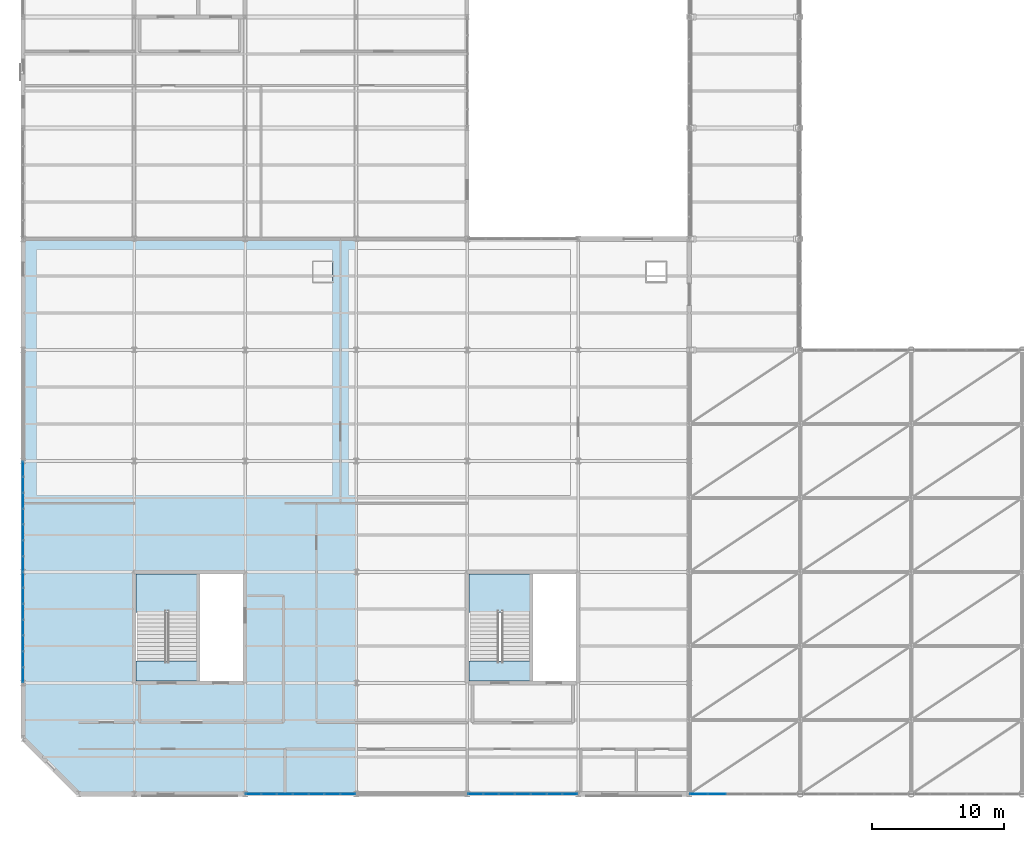
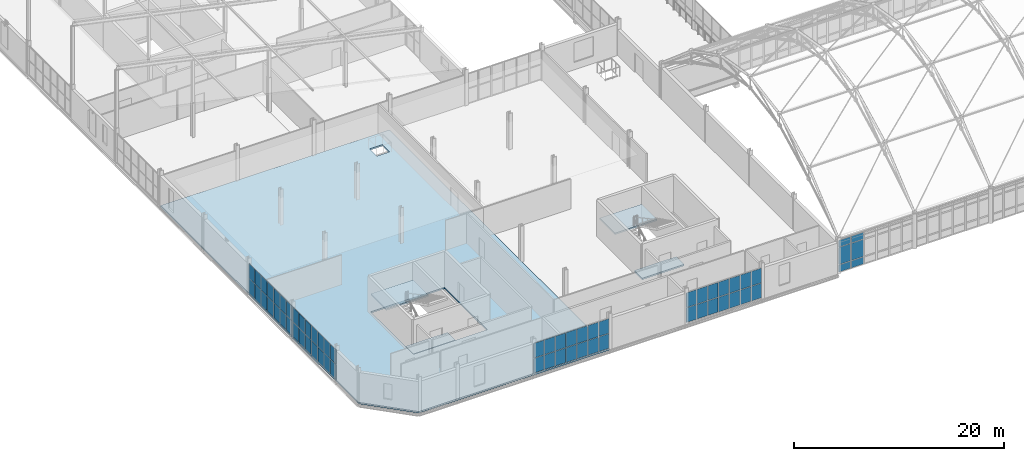
# One storey, part 134 of 184: 62 plates, 5 slabs, 7 elements without a shape of their own.
"""IFC4 building model written with IfcOpenShell, lengths in metres."""

import ifcopenshell
import ifcopenshell.guid

model = None  # the IFC model being written
_history = None  # IfcOwnerHistory: only IFC2X3 demands one
_inside = {}  # id of a spatial element -> (the spatial element, [elements in it])
_under = {}  # id of a project, library or spatial element -> (it, [spatial elements below it])
_declared = {}  # id of a project -> (the project, [libraries it declares])
_typed = {}  # id of a type object -> (the type object, [elements of that type])
_made_of = {}  # id of a material, layer set ... -> (it, [elements and type objects made of it])


def new_model(schema):
    """Start an empty IFC model of exactly this schema.

    Asked for "IFC4X3", IfcOpenShell would pick the latest addendum, in which some entities
    have other attributes; the version numbers below select the first issue.
    IFC2X3 requires an IfcOwnerHistory on every rooted entity: one is made here for all.
    """
    global model, _history
    if schema == "IFC4X3":
        model = ifcopenshell.file(schema_version=(4, 3, 0, 0))
    else:
        model = ifcopenshell.file(schema=schema)
    _inside.clear()
    _under.clear()
    _declared.clear()
    _typed.clear()
    _made_of.clear()
    _history = None
    if model.schema == "IFC2X3":
        org = make("IfcOrganization", Name="unknown")
        user = make(
            "IfcPersonAndOrganization",
            ThePerson=make("IfcPerson", FamilyName="unknown"),
            TheOrganization=org,
        )
        app = make(
            "IfcApplication",
            ApplicationDeveloper=org,
            Version="unknown",
            ApplicationFullName="unknown",
            ApplicationIdentifier="unknown",
        )
        _history = make(
            "IfcOwnerHistory",
            OwningUser=user,
            OwningApplication=app,
            ChangeAction="ADDED",
            CreationDate=0,
        )
    return model


def make(cls, **values):
    """One entity of the class cls with the attributes given. An attribute that is None is left unset."""
    return model.create_entity(
        cls, **{name: value for name, value in values.items() if value is not None}
    )


def rooted(cls, **values):
    """An entity with a GlobalId (a new one), such as an element, a storey or a relation."""
    return make(cls, GlobalId=ifcopenshell.guid.new(), OwnerHistory=_history, **values)


def si_unit(unit_type, name, prefix=None):
    """IfcSIUnit, for example si_unit("LENGTHUNIT", "METRE", prefix="MILLI")."""
    return make("IfcSIUnit", UnitType=unit_type, Prefix=prefix, Name=name)


def assignment(units):
    """IfcUnitAssignment: the units of a project."""
    return None if units is None else make("IfcUnitAssignment", Units=units)


def point(xyz):
    """IfcCartesianPoint."""
    return None if xyz is None else make("IfcCartesianPoint", Coordinates=xyz)


def direction(xyz):
    """IfcDirection."""
    return None if xyz is None else make("IfcDirection", DirectionRatios=xyz)


def frame(location, z_axis=None, x_axis=None):
    """IfcAxis2Placement3D, a coordinate frame: its origin and axes. An axis left out is left unset."""
    return make(
        "IfcAxis2Placement3D",
        Location=point(location),
        Axis=direction(z_axis),
        RefDirection=direction(x_axis),
    )


def frame_2d(location, x_axis=None):
    """IfcAxis2Placement2D, a coordinate frame in the plane: its origin and x axis."""
    return make(
        "IfcAxis2Placement2D", Location=point(location), RefDirection=direction(x_axis)
    )


def origin():
    """The frame at (0, 0, 0) with its axes left unset."""
    return frame((0.0, 0.0, 0.0))


def origin_2d():
    """The frame at (0, 0) in the plane with its x axis left unset."""
    return frame_2d((0.0, 0.0))


def place(relative_to, where):
    """IfcLocalPlacement: puts the frame where relative to a parent placement (None: the world)."""
    return make(
        "IfcLocalPlacement", PlacementRelTo=relative_to, RelativePlacement=where
    )


def context(
    kind, dimensions, precision=None, world=None, true_north=None, identifier=None
):
    """IfcGeometricRepresentationContext, for example the 3D "Model" context."""
    return make(
        "IfcGeometricRepresentationContext",
        ContextIdentifier=identifier,
        ContextType=kind,
        CoordinateSpaceDimension=dimensions,
        Precision=precision,
        WorldCoordinateSystem=world,
        TrueNorth=true_north,
    )


def subcontext(parent, identifier, kind, view, scale=None):
    """IfcGeometricRepresentationSubContext, for example "Body" below "Model"."""
    return make(
        "IfcGeometricRepresentationSubContext",
        ContextIdentifier=identifier,
        ContextType=kind,
        ParentContext=parent,
        TargetScale=scale,
        TargetView=view,
    )


def project(units=None, contexts=None):
    """IfcProject with its units and contexts."""
    return rooted(
        "IfcProject",
        Name="project",
        RepresentationContexts=contexts,
        UnitsInContext=assignment(units),
    )


def spatial(cls, under=None, at=None, **own):
    """A site, building, storey or space (cls), placed at a placement, below another one or the project."""
    s = rooted(cls, ObjectPlacement=at, **own)
    if under is not None:
        _under.setdefault(under.id(), (under, []))[1].append(s)
    return s


def polyline(points):
    """IfcPolyline through the points."""
    return make("IfcPolyline", Points=[point(p) for p in points])


def profile(cls, at=None, kind="AREA", **sizes):
    """A parametric profile (cls). Its sizes go by their IFC names, for example OverallWidth=200.0."""
    return make(cls, ProfileType=kind, Position=at, **sizes)


def rectangle(**sizes):
    """IfcRectangleProfileDef."""
    return profile("IfcRectangleProfileDef", **sizes)


def outline(outer, holes=None, kind="AREA"):
    """IfcArbitraryClosedProfileDef: a profile drawn as a closed curve; with holes, ...WithVoids."""
    if holes is None:
        return make("IfcArbitraryClosedProfileDef", ProfileType=kind, OuterCurve=outer)
    return make(
        "IfcArbitraryProfileDefWithVoids",
        ProfileType=kind,
        OuterCurve=outer,
        InnerCurves=holes,
    )


def extrude(swept, where, along, depth):
    """IfcExtrudedAreaSolid: the profile swept, set in the frame where, extruded along a direction by depth."""
    return make(
        "IfcExtrudedAreaSolid",
        SweptArea=swept,
        Position=where,
        ExtrudedDirection=direction(along),
        Depth=depth,
    )


def shape(context_of_items, identifier, shape_type, items):
    """IfcShapeRepresentation: the items that make up one representation, for example the "Body"."""
    return make(
        "IfcShapeRepresentation",
        ContextOfItems=context_of_items,
        RepresentationIdentifier=identifier,
        RepresentationType=shape_type,
        Items=items,
    )


def material(Name=None, Category=None):
    """IfcMaterial."""
    return make("IfcMaterial", Name=Name, Category=Category)


def layer(
    of_material, thickness, ventilated=None, Name=None, Category=None, Priority=None
):
    """IfcMaterialLayer: one layer of a wall or slab, of a material (None: an air gap)."""
    return make(
        "IfcMaterialLayer",
        Material=of_material,
        LayerThickness=thickness,
        IsVentilated=ventilated,
        Name=Name,
        Category=Category,
        Priority=Priority,
    )


def layer_set(layers, Name=None):
    """IfcMaterialLayerSet."""
    return make("IfcMaterialLayerSet", MaterialLayers=layers, LayerSetName=Name)


def made_of(thing, what):
    """Note that an element or type object is made of a material, layer set ...; save() writes the relation."""
    if what is not None:
        _made_of.setdefault(what.id(), (what, []))[1].append(thing)
    return thing


def type_object(cls, material=None, **own):
    """A type object (cls), such as IfcWallType, which elements share."""
    return made_of(rooted(cls, **own), material)


def element(
    cls,
    number,
    at=None,
    inside=None,
    cuts=None,
    type_object=None,
    material=None,
    context=None,
    identifier="Body",
    shape_type=None,
    held_by="IfcProductDefinitionShape",
    body=None,
    shapes=None,
    **own,
):
    """One element of the class cls, such as IfcWall. Its Tag is "e" and its number.

    at: its placement. inside: the storey or other place that contains it. cuts: it is an
    opening in that element (IfcRelVoidsElement). A single representation is given by context,
    identifier, shape_type and body (its items); several are given by shapes. held_by: the class
    of the entity that holds the representations. save() writes the other relations.
    """
    e = rooted(cls, Tag="e%d" % number, ObjectPlacement=at, **own)
    if body is not None:
        shapes = [shape(context, identifier, shape_type, body)]
    if shapes is not None:
        e.Representation = make(held_by, Representations=shapes)
    if inside is not None:
        _inside.setdefault(inside.id(), (inside, []))[1].append(e)
    if cuts is not None:
        rooted(
            "IfcRelVoidsElement", RelatingBuildingElement=cuts, RelatedOpeningElement=e
        )
    if type_object is not None:
        _typed.setdefault(type_object.id(), (type_object, []))[1].append(e)
    return made_of(e, material)


def aggregate(whole, parts):
    """IfcRelAggregates: a whole, such as a stair, and the parts it consists of."""
    return rooted("IfcRelAggregates", RelatingObject=whole, RelatedObjects=parts)


def save(model, path):
    """Write the relations noted so far, then the file.

    IfcRelAggregates (storeys below a building ...), IfcRelContainedInSpatialStructure (elements
    in a storey), IfcRelDefinesByType, IfcRelAssociatesMaterial and IfcRelDeclares: one each for
    every whole, place, type object, material and project.
    """
    for whole, parts in _under.values():
        aggregate(whole, parts)
    for where, things in _inside.values():
        rooted(
            "IfcRelContainedInSpatialStructure",
            RelatedElements=things,
            RelatingStructure=where,
        )
    for kind, things in _typed.values():
        rooted("IfcRelDefinesByType", RelatedObjects=things, RelatingType=kind)
    for what, things in _made_of.values():
        rooted("IfcRelAssociatesMaterial", RelatedObjects=things, RelatingMaterial=what)
    for by, libraries in _declared.values():
        rooted("IfcRelDeclares", RelatingContext=by, RelatedDefinitions=libraries)
    model.write(path)


model = new_model("IFC4")

# Units and contexts
model_context = context("Model", 3, precision=1e-05, world=origin(), true_north=direction((0.0, 1.0)))
body_context = subcontext(model_context, "Body", "Model", "MODEL_VIEW")
ifc_project = project(units=[si_unit("LENGTHUNIT", "METRE"), si_unit("AREAUNIT", "SQUARE_METRE"), si_unit("VOLUMEUNIT", "CUBIC_METRE"), si_unit("PLANEANGLEUNIT", "RADIAN"), si_unit("MASSUNIT", "GRAM", prefix="KILO")], contexts=[model_context])

# Site, building, storey
site_placement = place(None, origin())
site = spatial("IfcSite", under=ifc_project, at=site_placement, CompositionType="ELEMENT")
building_placement = place(site_placement, origin())
building = spatial("IfcBuilding", under=site, at=building_placement, Name="Qalvenar Corner Mobility Hub", CompositionType="ELEMENT")
storey_placement = place(building_placement, frame((0.0, 0.0, 9.0)))
storey = spatial("IfcBuildingStorey", under=building, at=storey_placement, Name="L02", CompositionType="ELEMENT", Elevation=9.0)

# Curtain wall, plates
ifc_material_1 = material(Name="Anodised Aluminium and Low-E Glazing", Category="aluminium")
ifc_layer_1 = layer(ifc_material_1, 0.14990234375)
ifc_layer_set_1 = layer_set([ifc_layer_1], Name="Anodised Aluminium and Low-E Glazing")
curtain_wall_type_1 = type_object("IfcCurtainWallType", Name="CW-CIV-84X40", PredefinedType="NOTDEFINED", material=ifc_layer_set_1)
curtain_wall_1_placement = place(storey_placement, origin())
curtain_wall_1 = element("IfcCurtainWall", 1, at=curtain_wall_1_placement, inside=storey, type_object=curtain_wall_type_1, Name="Glazed Curtain Wall CW-V3-L02-S2", PredefinedType="NOTDEFINED")
ifc_material_2 = material(Name="Solar-Control Low-E Double Glazing", Category="glass")
ifc_layer_2 = layer(ifc_material_2, 0.028076171875)
ifc_layer_set_2 = layer_set([ifc_layer_2], Name="Solar-Control Low-E Double Glazing")
plate_type = type_object("IfcPlateType", Name="PLT-CWP-GLZ1", PredefinedType="CURTAIN_PANEL", material=ifc_layer_set_2)
plate_1_placement = place(storey_placement, frame((17.4150390625, 0.0, 0.05517578125), z_axis=(0.0, 0.0, 1.0), x_axis=(1.0, 0.0, 0.0)))
plate_1 = element("IfcPlate", 2, at=plate_1_placement, type_object=plate_type, Name="CW-05 panel 1.1", PredefinedType="CURTAIN_PANEL", context=body_context, shape_type="SweptSolid", body=[
    extrude(rectangle(XDim=1.110107421875, YDim=0.028076171875, at=origin_2d()), origin(), (0.0, 0.0, 1.0), 1.702392578125),
])
plate_2_placement = place(storey_placement, frame((17.4150390625, 0.0, 1.8125), z_axis=(0.0, 0.0, 1.0), x_axis=(1.0, 0.0, 0.0)))
plate_2 = element("IfcPlate", 3, at=plate_2_placement, type_object=plate_type, Name="CW-05 panel 1.2", PredefinedType="CURTAIN_PANEL", context=body_context, shape_type="SweptSolid", body=[
    extrude(rectangle(XDim=1.110107421875, YDim=0.028076171875, at=origin_2d()), origin(), (0.0, 0.0, 1.0), 1.702392578125),
])
plate_3_placement = place(storey_placement, frame((18.60009765625, 0.0, 0.05517578125), z_axis=(0.0, 0.0, 1.0), x_axis=(1.0, 0.0, 0.0)))
plate_3 = element("IfcPlate", 4, at=plate_3_placement, type_object=plate_type, Name="CW-05 panel 2.1", PredefinedType="CURTAIN_PANEL", context=body_context, shape_type="SweptSolid", body=[
    extrude(rectangle(XDim=1.139892578125, YDim=0.028076171875, at=origin_2d()), origin(), (0.0, 0.0, 1.0), 1.702392578125),
])
plate_4_placement = place(storey_placement, frame((18.60009765625, 0.0, 1.8125), z_axis=(0.0, 0.0, 1.0), x_axis=(1.0, 0.0, 0.0)))
plate_4 = element("IfcPlate", 5, at=plate_4_placement, type_object=plate_type, Name="CW-05 panel 2.2", PredefinedType="CURTAIN_PANEL", context=body_context, shape_type="SweptSolid", body=[
    extrude(rectangle(XDim=1.139892578125, YDim=0.028076171875, at=origin_2d()), origin(), (0.0, 0.0, 1.0), 1.702392578125),
])
plate_5_placement = place(storey_placement, frame((19.800048828125, 0.0, 0.05517578125), z_axis=(0.0, 0.0, 1.0), x_axis=(1.0, 0.0, 0.0)))
plate_5 = element("IfcPlate", 6, at=plate_5_placement, type_object=plate_type, Name="CW-05 panel 3.1", PredefinedType="CURTAIN_PANEL", context=body_context, shape_type="SweptSolid", body=[
    extrude(rectangle(XDim=1.139892578125, YDim=0.028076171875, at=origin_2d()), origin(), (0.0, 0.0, 1.0), 1.702392578125),
])
plate_6_placement = place(storey_placement, frame((19.800048828125, 0.0, 1.8125), z_axis=(0.0, 0.0, 1.0), x_axis=(1.0, 0.0, 0.0)))
plate_6 = element("IfcPlate", 7, at=plate_6_placement, type_object=plate_type, Name="CW-05 panel 3.2", PredefinedType="CURTAIN_PANEL", context=body_context, shape_type="SweptSolid", body=[
    extrude(rectangle(XDim=1.139892578125, YDim=0.028076171875, at=origin_2d()), origin(), (0.0, 0.0, 1.0), 1.702392578125),
])
plate_7_placement = place(storey_placement, frame((21.0, 0.0, 0.05517578125), z_axis=(0.0, 0.0, 1.0), x_axis=(1.0, 0.0, 0.0)))
plate_7 = element("IfcPlate", 8, at=plate_7_placement, type_object=plate_type, Name="CW-05 panel 4.1", PredefinedType="CURTAIN_PANEL", context=body_context, shape_type="SweptSolid", body=[
    extrude(rectangle(XDim=1.139892578125, YDim=0.028076171875, at=origin_2d()), origin(), (0.0, 0.0, 1.0), 1.702392578125),
])
plate_8_placement = place(storey_placement, frame((21.0, 0.0, 1.8125), z_axis=(0.0, 0.0, 1.0), x_axis=(1.0, 0.0, 0.0)))
plate_8 = element("IfcPlate", 9, at=plate_8_placement, type_object=plate_type, Name="CW-05 panel 4.2", PredefinedType="CURTAIN_PANEL", context=body_context, shape_type="SweptSolid", body=[
    extrude(rectangle(XDim=1.139892578125, YDim=0.028076171875, at=origin_2d()), origin(), (0.0, 0.0, 1.0), 1.702392578125),
])
plate_9_placement = place(storey_placement, frame((22.199951171875, 0.0, 0.05517578125), z_axis=(0.0, 0.0, 1.0), x_axis=(1.0, 0.0, 0.0)))
plate_9 = element("IfcPlate", 10, at=plate_9_placement, type_object=plate_type, Name="CW-05 panel 5.1", PredefinedType="CURTAIN_PANEL", context=body_context, shape_type="SweptSolid", body=[
    extrude(rectangle(XDim=1.139892578125, YDim=0.028076171875, at=origin_2d()), origin(), (0.0, 0.0, 1.0), 1.702392578125),
])
plate_10_placement = place(storey_placement, frame((22.199951171875, 0.0, 1.8125), z_axis=(0.0, 0.0, 1.0), x_axis=(1.0, 0.0, 0.0)))
plate_10 = element("IfcPlate", 11, at=plate_10_placement, type_object=plate_type, Name="CW-05 panel 5.2", PredefinedType="CURTAIN_PANEL", context=body_context, shape_type="SweptSolid", body=[
    extrude(rectangle(XDim=1.139892578125, YDim=0.028076171875, at=origin_2d()), origin(), (0.0, 0.0, 1.0), 1.702392578125),
])
plate_11_placement = place(storey_placement, frame((23.39990234375, 0.0, 0.05517578125), z_axis=(0.0, 0.0, 1.0), x_axis=(1.0, 0.0, 0.0)))
plate_11 = element("IfcPlate", 12, at=plate_11_placement, type_object=plate_type, Name="CW-05 panel 6.1", PredefinedType="CURTAIN_PANEL", context=body_context, shape_type="SweptSolid", body=[
    extrude(rectangle(XDim=1.139892578125, YDim=0.028076171875, at=origin_2d()), origin(), (0.0, 0.0, 1.0), 1.702392578125),
])
plate_12_placement = place(storey_placement, frame((23.39990234375, 0.0, 1.8125), z_axis=(0.0, 0.0, 1.0), x_axis=(1.0, 0.0, 0.0)))
plate_12 = element("IfcPlate", 13, at=plate_12_placement, type_object=plate_type, Name="CW-05 panel 6.2", PredefinedType="CURTAIN_PANEL", context=body_context, shape_type="SweptSolid", body=[
    extrude(rectangle(XDim=1.139892578125, YDim=0.028076171875, at=origin_2d()), origin(), (0.0, 0.0, 1.0), 1.702392578125),
])
plate_13_placement = place(storey_placement, frame((24.5849609375, 0.0, 0.05517578125), z_axis=(0.0, 0.0, 1.0), x_axis=(1.0, 0.0, 0.0)))
plate_13 = element("IfcPlate", 14, at=plate_13_placement, type_object=plate_type, Name="CW-05 panel 7.1", PredefinedType="CURTAIN_PANEL", context=body_context, shape_type="SweptSolid", body=[
    extrude(rectangle(XDim=1.110107421875, YDim=0.028076171875, at=origin_2d()), origin(), (0.0, 0.0, 1.0), 1.702392578125),
])
plate_14_placement = place(storey_placement, frame((24.5849609375, 0.0, 1.8125), z_axis=(0.0, 0.0, 1.0), x_axis=(1.0, 0.0, 0.0)))
plate_14 = element("IfcPlate", 15, at=plate_14_placement, type_object=plate_type, Name="CW-05 panel 7.2", PredefinedType="CURTAIN_PANEL", context=body_context, shape_type="SweptSolid", body=[
    extrude(rectangle(XDim=1.110107421875, YDim=0.028076171875, at=origin_2d()), origin(), (0.0, 0.0, 1.0), 1.702392578125),
])
aggregate(curtain_wall_1, [plate_1, plate_2, plate_3, plate_4, plate_5, plate_6, plate_7, plate_8, plate_9, plate_10, plate_11, plate_12, plate_13, plate_14])

curtain_wall_2_placement = place(storey_placement, origin())
curtain_wall_2 = element("IfcCurtainWall", 16, at=curtain_wall_2_placement, inside=storey, type_object=curtain_wall_type_1, Name="Glazed Curtain Wall CW-V3-L02-S4", PredefinedType="NOTDEFINED")
plate_15_placement = place(storey_placement, frame((34.215087890625, 0.0, 0.05517578125), z_axis=(0.0, 0.0, 1.0), x_axis=(1.0, 0.0, 0.0)))
plate_15 = element("IfcPlate", 17, at=plate_15_placement, type_object=plate_type, Name="CW-05 panel 1.1", PredefinedType="CURTAIN_PANEL", context=body_context, shape_type="SweptSolid", body=[
    extrude(rectangle(XDim=1.110107421875, YDim=0.028076171875, at=origin_2d()), origin(), (0.0, 0.0, 1.0), 1.702392578125),
])
plate_16_placement = place(storey_placement, frame((34.215087890625, 0.0, 1.8125), z_axis=(0.0, 0.0, 1.0), x_axis=(1.0, 0.0, 0.0)))
plate_16 = element("IfcPlate", 18, at=plate_16_placement, type_object=plate_type, Name="CW-05 panel 1.2", PredefinedType="CURTAIN_PANEL", context=body_context, shape_type="SweptSolid", body=[
    extrude(rectangle(XDim=1.110107421875, YDim=0.028076171875, at=origin_2d()), origin(), (0.0, 0.0, 1.0), 1.702392578125),
])
plate_17_placement = place(storey_placement, frame((35.39990234375, 0.0, 0.05517578125), z_axis=(0.0, 0.0, 1.0), x_axis=(1.0, 0.0, 0.0)))
plate_17 = element("IfcPlate", 19, at=plate_17_placement, type_object=plate_type, Name="CW-05 panel 2.1", PredefinedType="CURTAIN_PANEL", context=body_context, shape_type="SweptSolid", body=[
    extrude(rectangle(XDim=1.139892578125, YDim=0.028076171875, at=origin_2d()), origin(), (0.0, 0.0, 1.0), 1.702392578125),
])
plate_18_placement = place(storey_placement, frame((35.39990234375, 0.0, 1.8125), z_axis=(0.0, 0.0, 1.0), x_axis=(1.0, 0.0, 0.0)))
plate_18 = element("IfcPlate", 20, at=plate_18_placement, type_object=plate_type, Name="CW-05 panel 2.2", PredefinedType="CURTAIN_PANEL", context=body_context, shape_type="SweptSolid", body=[
    extrude(rectangle(XDim=1.139892578125, YDim=0.028076171875, at=origin_2d()), origin(), (0.0, 0.0, 1.0), 1.702392578125),
])
plate_19_placement = place(storey_placement, frame((36.60009765625, 0.0, 0.05517578125), z_axis=(0.0, 0.0, 1.0), x_axis=(1.0, 0.0, 0.0)))
plate_19 = element("IfcPlate", 21, at=plate_19_placement, type_object=plate_type, Name="CW-05 panel 3.1", PredefinedType="CURTAIN_PANEL", context=body_context, shape_type="SweptSolid", body=[
    extrude(rectangle(XDim=1.139892578125, YDim=0.028076171875, at=origin_2d()), origin(), (0.0, 0.0, 1.0), 1.702392578125),
])
plate_20_placement = place(storey_placement, frame((36.60009765625, 0.0, 1.8125), z_axis=(0.0, 0.0, 1.0), x_axis=(1.0, 0.0, 0.0)))
plate_20 = element("IfcPlate", 22, at=plate_20_placement, type_object=plate_type, Name="CW-05 panel 3.2", PredefinedType="CURTAIN_PANEL", context=body_context, shape_type="SweptSolid", body=[
    extrude(rectangle(XDim=1.139892578125, YDim=0.028076171875, at=origin_2d()), origin(), (0.0, 0.0, 1.0), 1.702392578125),
])
plate_21_placement = place(storey_placement, frame((37.800048828125, 0.0, 0.05517578125), z_axis=(0.0, 0.0, 1.0), x_axis=(1.0, 0.0, 0.0)))
plate_21 = element("IfcPlate", 23, at=plate_21_placement, type_object=plate_type, Name="CW-05 panel 4.1", PredefinedType="CURTAIN_PANEL", context=body_context, shape_type="SweptSolid", body=[
    extrude(rectangle(XDim=1.139892578125, YDim=0.028076171875, at=origin_2d()), origin(), (0.0, 0.0, 1.0), 1.702392578125),
])
plate_22_placement = place(storey_placement, frame((37.800048828125, 0.0, 1.8125), z_axis=(0.0, 0.0, 1.0), x_axis=(1.0, 0.0, 0.0)))
plate_22 = element("IfcPlate", 24, at=plate_22_placement, type_object=plate_type, Name="CW-05 panel 4.2", PredefinedType="CURTAIN_PANEL", context=body_context, shape_type="SweptSolid", body=[
    extrude(rectangle(XDim=1.139892578125, YDim=0.028076171875, at=origin_2d()), origin(), (0.0, 0.0, 1.0), 1.702392578125),
])
plate_23_placement = place(storey_placement, frame((39.0, 0.0, 0.05517578125), z_axis=(0.0, 0.0, 1.0), x_axis=(1.0, 0.0, 0.0)))
plate_23 = element("IfcPlate", 25, at=plate_23_placement, type_object=plate_type, Name="CW-05 panel 5.1", PredefinedType="CURTAIN_PANEL", context=body_context, shape_type="SweptSolid", body=[
    extrude(rectangle(XDim=1.139892578125, YDim=0.028076171875, at=origin_2d()), origin(), (0.0, 0.0, 1.0), 1.702392578125),
])
plate_24_placement = place(storey_placement, frame((39.0, 0.0, 1.8125), z_axis=(0.0, 0.0, 1.0), x_axis=(1.0, 0.0, 0.0)))
plate_24 = element("IfcPlate", 26, at=plate_24_placement, type_object=plate_type, Name="CW-05 panel 5.2", PredefinedType="CURTAIN_PANEL", context=body_context, shape_type="SweptSolid", body=[
    extrude(rectangle(XDim=1.139892578125, YDim=0.028076171875, at=origin_2d()), origin(), (0.0, 0.0, 1.0), 1.702392578125),
])
plate_25_placement = place(storey_placement, frame((40.199951171875, 0.0, 0.05517578125), z_axis=(0.0, 0.0, 1.0), x_axis=(1.0, 0.0, 0.0)))
plate_25 = element("IfcPlate", 27, at=plate_25_placement, type_object=plate_type, Name="CW-05 panel 6.1", PredefinedType="CURTAIN_PANEL", context=body_context, shape_type="SweptSolid", body=[
    extrude(rectangle(XDim=1.139892578125, YDim=0.028076171875, at=origin_2d()), origin(), (0.0, 0.0, 1.0), 1.702392578125),
])
plate_26_placement = place(storey_placement, frame((40.199951171875, 0.0, 1.8125), z_axis=(0.0, 0.0, 1.0), x_axis=(1.0, 0.0, 0.0)))
plate_26 = element("IfcPlate", 28, at=plate_26_placement, type_object=plate_type, Name="CW-05 panel 6.2", PredefinedType="CURTAIN_PANEL", context=body_context, shape_type="SweptSolid", body=[
    extrude(rectangle(XDim=1.139892578125, YDim=0.028076171875, at=origin_2d()), origin(), (0.0, 0.0, 1.0), 1.702392578125),
])
plate_27_placement = place(storey_placement, frame((41.385009765625, 0.0, 0.05517578125), z_axis=(0.0, 0.0, 1.0), x_axis=(1.0, 0.0, 0.0)))
plate_27 = element("IfcPlate", 29, at=plate_27_placement, type_object=plate_type, Name="CW-05 panel 7.1", PredefinedType="CURTAIN_PANEL", context=body_context, shape_type="SweptSolid", body=[
    extrude(rectangle(XDim=1.110107421875, YDim=0.028076171875, at=origin_2d()), origin(), (0.0, 0.0, 1.0), 1.702392578125),
])
plate_28_placement = place(storey_placement, frame((41.385009765625, 0.0, 1.8125), z_axis=(0.0, 0.0, 1.0), x_axis=(1.0, 0.0, 0.0)))
plate_28 = element("IfcPlate", 30, at=plate_28_placement, type_object=plate_type, Name="CW-05 panel 7.2", PredefinedType="CURTAIN_PANEL", context=body_context, shape_type="SweptSolid", body=[
    extrude(rectangle(XDim=1.110107421875, YDim=0.028076171875, at=origin_2d()), origin(), (0.0, 0.0, 1.0), 1.702392578125),
])
aggregate(curtain_wall_2, [plate_15, plate_16, plate_17, plate_18, plate_19, plate_20, plate_21, plate_22, plate_23, plate_24, plate_25, plate_26, plate_27, plate_28])

curtain_wall_3_placement = place(storey_placement, origin())
curtain_wall_3 = element("IfcCurtainWall", 31, at=curtain_wall_3_placement, inside=storey, type_object=curtain_wall_type_1, Name="Glazed Curtain Wall CW-V3-L02-W1", PredefinedType="NOTDEFINED")
plate_29_placement = place(storey_placement, frame((0.0, 16.18505859375, 0.05517578125), z_axis=(0.0, 0.0, 1.0), x_axis=(0.0, -1.0, 0.0)))
plate_29 = element("IfcPlate", 32, at=plate_29_placement, type_object=plate_type, Name="CW-05 panel 1.1", PredefinedType="CURTAIN_PANEL", context=body_context, shape_type="SweptSolid", body=[
    extrude(rectangle(XDim=1.110107421875, YDim=0.028076171875, at=origin_2d()), origin(), (0.0, 0.0, 1.0), 1.702392578125),
])
plate_30_placement = place(storey_placement, frame((0.0, 16.18505859375, 1.8125), z_axis=(0.0, 0.0, 1.0), x_axis=(0.0, -1.0, 0.0)))
plate_30 = element("IfcPlate", 33, at=plate_30_placement, type_object=plate_type, Name="CW-05 panel 1.2", PredefinedType="CURTAIN_PANEL", context=body_context, shape_type="SweptSolid", body=[
    extrude(rectangle(XDim=1.110107421875, YDim=0.028076171875, at=origin_2d()), origin(), (0.0, 0.0, 1.0), 1.702392578125),
])
plate_31_placement = place(storey_placement, frame((0.0, 15.0, 0.05517578125), z_axis=(0.0, 0.0, 1.0), x_axis=(0.0, -1.0, 0.0)))
plate_31 = element("IfcPlate", 34, at=plate_31_placement, type_object=plate_type, Name="CW-05 panel 2.1", PredefinedType="CURTAIN_PANEL", context=body_context, shape_type="SweptSolid", body=[
    extrude(rectangle(XDim=1.139892578125, YDim=0.028076171875, at=origin_2d()), origin(), (0.0, 0.0, 1.0), 1.702392578125),
])
plate_32_placement = place(storey_placement, frame((0.0, 15.0, 1.8125), z_axis=(0.0, 0.0, 1.0), x_axis=(0.0, -1.0, 0.0)))
plate_32 = element("IfcPlate", 35, at=plate_32_placement, type_object=plate_type, Name="CW-05 panel 2.2", PredefinedType="CURTAIN_PANEL", context=body_context, shape_type="SweptSolid", body=[
    extrude(rectangle(XDim=1.139892578125, YDim=0.028076171875, at=origin_2d()), origin(), (0.0, 0.0, 1.0), 1.702392578125),
])
plate_33_placement = place(storey_placement, frame((0.0, 13.800048828125, 0.05517578125), z_axis=(0.0, 0.0, 1.0), x_axis=(0.0, -1.0, 0.0)))
plate_33 = element("IfcPlate", 36, at=plate_33_placement, type_object=plate_type, Name="CW-05 panel 3.1", PredefinedType="CURTAIN_PANEL", context=body_context, shape_type="SweptSolid", body=[
    extrude(rectangle(XDim=1.139892578125, YDim=0.028076171875, at=origin_2d()), origin(), (0.0, 0.0, 1.0), 1.702392578125),
])
plate_34_placement = place(storey_placement, frame((0.0, 13.800048828125, 1.8125), z_axis=(0.0, 0.0, 1.0), x_axis=(0.0, -1.0, 0.0)))
plate_34 = element("IfcPlate", 37, at=plate_34_placement, type_object=plate_type, Name="CW-05 panel 3.2", PredefinedType="CURTAIN_PANEL", context=body_context, shape_type="SweptSolid", body=[
    extrude(rectangle(XDim=1.139892578125, YDim=0.028076171875, at=origin_2d()), origin(), (0.0, 0.0, 1.0), 1.702392578125),
])
plate_35_placement = place(storey_placement, frame((0.0, 12.60009765625, 0.05517578125), z_axis=(0.0, 0.0, 1.0), x_axis=(0.0, -1.0, 0.0)))
plate_35 = element("IfcPlate", 38, at=plate_35_placement, type_object=plate_type, Name="CW-05 panel 4.1", PredefinedType="CURTAIN_PANEL", context=body_context, shape_type="SweptSolid", body=[
    extrude(rectangle(XDim=1.139892578125, YDim=0.028076171875, at=origin_2d()), origin(), (0.0, 0.0, 1.0), 1.702392578125),
])
plate_36_placement = place(storey_placement, frame((0.0, 12.60009765625, 1.8125), z_axis=(0.0, 0.0, 1.0), x_axis=(0.0, -1.0, 0.0)))
plate_36 = element("IfcPlate", 39, at=plate_36_placement, type_object=plate_type, Name="CW-05 panel 4.2", PredefinedType="CURTAIN_PANEL", context=body_context, shape_type="SweptSolid", body=[
    extrude(rectangle(XDim=1.139892578125, YDim=0.028076171875, at=origin_2d()), origin(), (0.0, 0.0, 1.0), 1.702392578125),
])
plate_37_placement = place(storey_placement, frame((0.0, 11.39990234375, 0.05517578125), z_axis=(0.0, 0.0, 1.0), x_axis=(0.0, -1.0, 0.0)))
plate_37 = element("IfcPlate", 40, at=plate_37_placement, type_object=plate_type, Name="CW-05 panel 5.1", PredefinedType="CURTAIN_PANEL", context=body_context, shape_type="SweptSolid", body=[
    extrude(rectangle(XDim=1.139892578125, YDim=0.028076171875, at=origin_2d()), origin(), (0.0, 0.0, 1.0), 1.702392578125),
])
plate_38_placement = place(storey_placement, frame((0.0, 11.39990234375, 1.8125), z_axis=(0.0, 0.0, 1.0), x_axis=(0.0, -1.0, 0.0)))
plate_38 = element("IfcPlate", 41, at=plate_38_placement, type_object=plate_type, Name="CW-05 panel 5.2", PredefinedType="CURTAIN_PANEL", context=body_context, shape_type="SweptSolid", body=[
    extrude(rectangle(XDim=1.139892578125, YDim=0.028076171875, at=origin_2d()), origin(), (0.0, 0.0, 1.0), 1.702392578125),
])
plate_39_placement = place(storey_placement, frame((0.0, 10.199951171875, 0.05517578125), z_axis=(0.0, 0.0, 1.0), x_axis=(0.0, -1.0, 0.0)))
plate_39 = element("IfcPlate", 42, at=plate_39_placement, type_object=plate_type, Name="CW-05 panel 6.1", PredefinedType="CURTAIN_PANEL", context=body_context, shape_type="SweptSolid", body=[
    extrude(rectangle(XDim=1.139892578125, YDim=0.028076171875, at=origin_2d()), origin(), (0.0, 0.0, 1.0), 1.702392578125),
])
plate_40_placement = place(storey_placement, frame((0.0, 10.199951171875, 1.8125), z_axis=(0.0, 0.0, 1.0), x_axis=(0.0, -1.0, 0.0)))
plate_40 = element("IfcPlate", 43, at=plate_40_placement, type_object=plate_type, Name="CW-05 panel 6.2", PredefinedType="CURTAIN_PANEL", context=body_context, shape_type="SweptSolid", body=[
    extrude(rectangle(XDim=1.139892578125, YDim=0.028076171875, at=origin_2d()), origin(), (0.0, 0.0, 1.0), 1.702392578125),
])
plate_41_placement = place(storey_placement, frame((0.0, 9.014892578125, 0.05517578125), z_axis=(0.0, 0.0, 1.0), x_axis=(0.0, -1.0, 0.0)))
plate_41 = element("IfcPlate", 44, at=plate_41_placement, type_object=plate_type, Name="CW-05 panel 7.1", PredefinedType="CURTAIN_PANEL", context=body_context, shape_type="SweptSolid", body=[
    extrude(rectangle(XDim=1.110107421875, YDim=0.028076171875, at=origin_2d()), origin(), (0.0, 0.0, 1.0), 1.702392578125),
])
plate_42_placement = place(storey_placement, frame((0.0, 9.014892578125, 1.8125), z_axis=(0.0, 0.0, 1.0), x_axis=(0.0, -1.0, 0.0)))
plate_42 = element("IfcPlate", 45, at=plate_42_placement, type_object=plate_type, Name="CW-05 panel 7.2", PredefinedType="CURTAIN_PANEL", context=body_context, shape_type="SweptSolid", body=[
    extrude(rectangle(XDim=1.110107421875, YDim=0.028076171875, at=origin_2d()), origin(), (0.0, 0.0, 1.0), 1.702392578125),
])
aggregate(curtain_wall_3, [plate_29, plate_30, plate_31, plate_32, plate_33, plate_34, plate_35, plate_36, plate_37, plate_38, plate_39, plate_40, plate_41, plate_42])

curtain_wall_4_placement = place(storey_placement, origin())
curtain_wall_4 = element("IfcCurtainWall", 46, at=curtain_wall_4_placement, inside=storey, type_object=curtain_wall_type_1, Name="Glazed Curtain Wall CW-V3-L02-W2", PredefinedType="NOTDEFINED")
plate_43_placement = place(storey_placement, frame((0.0, 24.5849609375, 0.05517578125), z_axis=(0.0, 0.0, 1.0), x_axis=(0.0, -1.0, 0.0)))
plate_43 = element("IfcPlate", 47, at=plate_43_placement, type_object=plate_type, Name="CW-05 panel 1.1", PredefinedType="CURTAIN_PANEL", context=body_context, shape_type="SweptSolid", body=[
    extrude(rectangle(XDim=1.110107421875, YDim=0.028076171875, at=origin_2d()), origin(), (0.0, 0.0, 1.0), 1.702392578125),
])
plate_44_placement = place(storey_placement, frame((0.0, 24.5849609375, 1.8125), z_axis=(0.0, 0.0, 1.0), x_axis=(0.0, -1.0, 0.0)))
plate_44 = element("IfcPlate", 48, at=plate_44_placement, type_object=plate_type, Name="CW-05 panel 1.2", PredefinedType="CURTAIN_PANEL", context=body_context, shape_type="SweptSolid", body=[
    extrude(rectangle(XDim=1.110107421875, YDim=0.028076171875, at=origin_2d()), origin(), (0.0, 0.0, 1.0), 1.702392578125),
])
plate_45_placement = place(storey_placement, frame((0.0, 23.39990234375, 0.05517578125), z_axis=(0.0, 0.0, 1.0), x_axis=(0.0, -1.0, 0.0)))
plate_45 = element("IfcPlate", 49, at=plate_45_placement, type_object=plate_type, Name="CW-05 panel 2.1", PredefinedType="CURTAIN_PANEL", context=body_context, shape_type="SweptSolid", body=[
    extrude(rectangle(XDim=1.139892578125, YDim=0.028076171875, at=origin_2d()), origin(), (0.0, 0.0, 1.0), 1.702392578125),
])
plate_46_placement = place(storey_placement, frame((0.0, 23.39990234375, 1.8125), z_axis=(0.0, 0.0, 1.0), x_axis=(0.0, -1.0, 0.0)))
plate_46 = element("IfcPlate", 50, at=plate_46_placement, type_object=plate_type, Name="CW-05 panel 2.2", PredefinedType="CURTAIN_PANEL", context=body_context, shape_type="SweptSolid", body=[
    extrude(rectangle(XDim=1.139892578125, YDim=0.028076171875, at=origin_2d()), origin(), (0.0, 0.0, 1.0), 1.702392578125),
])
plate_47_placement = place(storey_placement, frame((0.0, 22.199951171875, 0.05517578125), z_axis=(0.0, 0.0, 1.0), x_axis=(0.0, -1.0, 0.0)))
plate_47 = element("IfcPlate", 51, at=plate_47_placement, type_object=plate_type, Name="CW-05 panel 3.1", PredefinedType="CURTAIN_PANEL", context=body_context, shape_type="SweptSolid", body=[
    extrude(rectangle(XDim=1.139892578125, YDim=0.028076171875, at=origin_2d()), origin(), (0.0, 0.0, 1.0), 1.702392578125),
])
plate_48_placement = place(storey_placement, frame((0.0, 22.199951171875, 1.8125), z_axis=(0.0, 0.0, 1.0), x_axis=(0.0, -1.0, 0.0)))
plate_48 = element("IfcPlate", 52, at=plate_48_placement, type_object=plate_type, Name="CW-05 panel 3.2", PredefinedType="CURTAIN_PANEL", context=body_context, shape_type="SweptSolid", body=[
    extrude(rectangle(XDim=1.139892578125, YDim=0.028076171875, at=origin_2d()), origin(), (0.0, 0.0, 1.0), 1.702392578125),
])
plate_49_placement = place(storey_placement, frame((0.0, 21.0, 0.05517578125), z_axis=(0.0, 0.0, 1.0), x_axis=(0.0, -1.0, 0.0)))
plate_49 = element("IfcPlate", 53, at=plate_49_placement, type_object=plate_type, Name="CW-05 panel 4.1", PredefinedType="CURTAIN_PANEL", context=body_context, shape_type="SweptSolid", body=[
    extrude(rectangle(XDim=1.139892578125, YDim=0.028076171875, at=origin_2d()), origin(), (0.0, 0.0, 1.0), 1.702392578125),
])
plate_50_placement = place(storey_placement, frame((0.0, 21.0, 1.8125), z_axis=(0.0, 0.0, 1.0), x_axis=(0.0, -1.0, 0.0)))
plate_50 = element("IfcPlate", 54, at=plate_50_placement, type_object=plate_type, Name="CW-05 panel 4.2", PredefinedType="CURTAIN_PANEL", context=body_context, shape_type="SweptSolid", body=[
    extrude(rectangle(XDim=1.139892578125, YDim=0.028076171875, at=origin_2d()), origin(), (0.0, 0.0, 1.0), 1.702392578125),
])
plate_51_placement = place(storey_placement, frame((0.0, 19.800048828125, 0.05517578125), z_axis=(0.0, 0.0, 1.0), x_axis=(0.0, -1.0, 0.0)))
plate_51 = element("IfcPlate", 55, at=plate_51_placement, type_object=plate_type, Name="CW-05 panel 5.1", PredefinedType="CURTAIN_PANEL", context=body_context, shape_type="SweptSolid", body=[
    extrude(rectangle(XDim=1.139892578125, YDim=0.028076171875, at=origin_2d()), origin(), (0.0, 0.0, 1.0), 1.702392578125),
])
plate_52_placement = place(storey_placement, frame((0.0, 19.800048828125, 1.8125), z_axis=(0.0, 0.0, 1.0), x_axis=(0.0, -1.0, 0.0)))
plate_52 = element("IfcPlate", 56, at=plate_52_placement, type_object=plate_type, Name="CW-05 panel 5.2", PredefinedType="CURTAIN_PANEL", context=body_context, shape_type="SweptSolid", body=[
    extrude(rectangle(XDim=1.139892578125, YDim=0.028076171875, at=origin_2d()), origin(), (0.0, 0.0, 1.0), 1.702392578125),
])
plate_53_placement = place(storey_placement, frame((0.0, 18.60009765625, 0.05517578125), z_axis=(0.0, 0.0, 1.0), x_axis=(0.0, -1.0, 0.0)))
plate_53 = element("IfcPlate", 57, at=plate_53_placement, type_object=plate_type, Name="CW-05 panel 6.1", PredefinedType="CURTAIN_PANEL", context=body_context, shape_type="SweptSolid", body=[
    extrude(rectangle(XDim=1.139892578125, YDim=0.028076171875, at=origin_2d()), origin(), (0.0, 0.0, 1.0), 1.702392578125),
])
plate_54_placement = place(storey_placement, frame((0.0, 18.60009765625, 1.8125), z_axis=(0.0, 0.0, 1.0), x_axis=(0.0, -1.0, 0.0)))
plate_54 = element("IfcPlate", 58, at=plate_54_placement, type_object=plate_type, Name="CW-05 panel 6.2", PredefinedType="CURTAIN_PANEL", context=body_context, shape_type="SweptSolid", body=[
    extrude(rectangle(XDim=1.139892578125, YDim=0.028076171875, at=origin_2d()), origin(), (0.0, 0.0, 1.0), 1.702392578125),
])
plate_55_placement = place(storey_placement, frame((0.0, 17.4150390625, 0.05517578125), z_axis=(0.0, 0.0, 1.0), x_axis=(0.0, -1.0, 0.0)))
plate_55 = element("IfcPlate", 59, at=plate_55_placement, type_object=plate_type, Name="CW-05 panel 7.1", PredefinedType="CURTAIN_PANEL", context=body_context, shape_type="SweptSolid", body=[
    extrude(rectangle(XDim=1.110107421875, YDim=0.028076171875, at=origin_2d()), origin(), (0.0, 0.0, 1.0), 1.702392578125),
])
plate_56_placement = place(storey_placement, frame((0.0, 17.4150390625, 1.8125), z_axis=(0.0, 0.0, 1.0), x_axis=(0.0, -1.0, 0.0)))
plate_56 = element("IfcPlate", 60, at=plate_56_placement, type_object=plate_type, Name="CW-05 panel 7.2", PredefinedType="CURTAIN_PANEL", context=body_context, shape_type="SweptSolid", body=[
    extrude(rectangle(XDim=1.110107421875, YDim=0.028076171875, at=origin_2d()), origin(), (0.0, 0.0, 1.0), 1.702392578125),
])
aggregate(curtain_wall_4, [plate_43, plate_44, plate_45, plate_46, plate_47, plate_48, plate_49, plate_50, plate_51, plate_52, plate_53, plate_54, plate_55, plate_56])

ifc_layer_3 = layer(ifc_material_1, 0.179931640625)
ifc_layer_set_3 = layer_set([ifc_layer_3], Name="Anodised Aluminium and Low-E Glazing")
curtain_wall_type_2 = type_object("IfcCurtainWallType", Name="CW-CONC-84X42", PredefinedType="NOTDEFINED", material=ifc_layer_set_3)
curtain_wall_5_placement = place(storey_placement, origin())
curtain_wall_5 = element("IfcCurtainWall", 61, at=curtain_wall_5_placement, inside=storey, type_object=curtain_wall_type_2, Name="Glazed Curtain Wall CW-V1-L02-S0", PredefinedType="NOTDEFINED")
plate_57_placement = place(storey_placement, frame((51.114990234375, 0.0, 0.05517578125), z_axis=(0.0, 0.0, 1.0), x_axis=(1.0, 0.0, 0.0)))
plate_57 = element("IfcPlate", 62, at=plate_57_placement, type_object=plate_type, Name="CW-02 panel 1.1", PredefinedType="CURTAIN_PANEL", context=body_context, shape_type="SweptSolid", body=[
    extrude(rectangle(XDim=1.31005859375, YDim=0.028076171875, at=origin_2d()), origin(), (0.0, 0.0, 1.0), 0.8173828125),
])
plate_58_placement = place(storey_placement, frame((51.114990234375, 0.0, 0.927490234375), z_axis=(0.0, 0.0, 1.0), x_axis=(1.0, 0.0, 0.0)))
plate_58 = element("IfcPlate", 63, at=plate_58_placement, type_object=plate_type, Name="CW-02 panel 1.2", PredefinedType="CURTAIN_PANEL", context=body_context, shape_type="SweptSolid", body=[
    extrude(rectangle(XDim=1.31005859375, YDim=0.028076171875, at=origin_2d()), origin(), (0.0, 0.0, 1.0), 1.9951171875),
])
plate_59_placement = place(storey_placement, frame((51.114990234375, 0.0, 2.9775390625), z_axis=(0.0, 0.0, 1.0), x_axis=(1.0, 0.0, 0.0)))
plate_59 = element("IfcPlate", 64, at=plate_59_placement, type_object=plate_type, Name="CW-02 panel 1.3", PredefinedType="CURTAIN_PANEL", context=body_context, shape_type="SweptSolid", body=[
    extrude(rectangle(XDim=1.31005859375, YDim=0.028076171875, at=origin_2d()), origin(), (0.0, 0.0, 1.0), 0.767578125),
])
plate_60_placement = place(storey_placement, frame((52.5, 0.0, 0.05517578125), z_axis=(0.0, 0.0, 1.0), x_axis=(1.0, 0.0, 0.0)))
plate_60 = element("IfcPlate", 65, at=plate_60_placement, type_object=plate_type, Name="CW-02 panel 2.1", PredefinedType="CURTAIN_PANEL", context=body_context, shape_type="SweptSolid", body=[
    extrude(rectangle(XDim=1.340087890625, YDim=0.028076171875, at=origin_2d()), origin(), (0.0, 0.0, 1.0), 0.8173828125),
])
plate_61_placement = place(storey_placement, frame((52.5, 0.0, 0.927490234375), z_axis=(0.0, 0.0, 1.0), x_axis=(1.0, 0.0, 0.0)))
plate_61 = element("IfcPlate", 66, at=plate_61_placement, type_object=plate_type, Name="CW-02 panel 2.2", PredefinedType="CURTAIN_PANEL", context=body_context, shape_type="SweptSolid", body=[
    extrude(rectangle(XDim=1.340087890625, YDim=0.028076171875, at=origin_2d()), origin(), (0.0, 0.0, 1.0), 1.9951171875),
])
plate_62_placement = place(storey_placement, frame((52.5, 0.0, 2.9775390625), z_axis=(0.0, 0.0, 1.0), x_axis=(1.0, 0.0, 0.0)))
plate_62 = element("IfcPlate", 67, at=plate_62_placement, type_object=plate_type, Name="CW-02 panel 2.3", PredefinedType="CURTAIN_PANEL", context=body_context, shape_type="SweptSolid", body=[
    extrude(rectangle(XDim=1.340087890625, YDim=0.028076171875, at=origin_2d()), origin(), (0.0, 0.0, 1.0), 0.767578125),
])
aggregate(curtain_wall_5, [plate_57, plate_58, plate_59, plate_60, plate_61, plate_62])

# Slab
ifc_material_3 = material(Name="Concrete C35/45", Category="concrete")
ifc_layer_4 = layer(ifc_material_3, 0.179931640625)
ifc_layer_set_4 = layer_set([ifc_layer_4], Name="Concrete C35/45")
slab_type_1 = type_object("IfcSlabType", Name="SLB-COMP180", PredefinedType="FLOOR", material=ifc_layer_set_4)
slab_1_placement = place(storey_placement, frame((0.0, 0.0, -0.179931640625)))
element("IfcSlab", 68, at=slab_1_placement, inside=storey, type_object=slab_type_1, Name="Composite Slab V3-A-L02", PredefinedType="FLOOR", context=body_context, shape_type="SweptSolid", body=[
    extrude(outline(polyline([(4.199951171875, 0.0), (25.199951171875, 0.0), (25.199951171875, 42.0), (0.0, 42.0), (0.0, 4.199951171875), (4.199951171875, 0.0)]), holes=[polyline([(8.530029296875, 8.530029296875), (16.669921875, 8.530029296875), (16.669921875, 16.669921875), (8.530029296875, 16.669921875), (8.530029296875, 8.530029296875)]), polyline([(22.0, 38.800048828125), (23.39990234375, 38.800048828125), (23.39990234375, 40.199951171875), (22.0, 40.199951171875), (22.0, 38.800048828125)])]), origin(), (0.0, 0.0, 1.0), 0.179931640625),
])

# Stair, slab
stair_type_1 = type_object("IfcStairType", Name="STR-220-H42", PredefinedType="HALF_TURN_STAIR", material=ifc_material_3)
stair_1_placement = place(storey_placement, origin())
stair_1 = element("IfcStair", 69, at=stair_1_placement, inside=storey, type_object=stair_type_1, Name="Exit Stair ST1 L02-L03", PredefinedType="HALF_TURN_STAIR")
ifc_layer_5 = layer(ifc_material_3, 0.179931640625)
ifc_layer_set_5 = layer_set([ifc_layer_5], Name="Concrete C35/45")
slab_type_2 = type_object("IfcSlabType", Name="SLB-LND180", PredefinedType="LANDING", material=ifc_layer_set_5)
slab_2_placement = place(storey_placement, frame((0.0, 0.0, 1.919921875)))
slab_2 = element("IfcSlab", 70, at=slab_2_placement, type_object=slab_type_2, Name="ST1 landing 1", PredefinedType="LANDING", context=body_context, shape_type="SweptSolid", body=[
    extrude(outline(polyline([(8.5400390625, 13.75), (13.179931640625, 13.75), (13.179931640625, 16.659912109375), (8.5400390625, 16.659912109375), (8.5400390625, 13.75)])), origin(), (0.0, 0.0, 1.0), 0.18017578125),
])
aggregate(stair_1, [slab_2])

stair_type_2 = type_object("IfcStairType", Name="STR-200-H42", PredefinedType="HALF_TURN_STAIR", material=ifc_material_3)
stair_2_placement = place(storey_placement, origin())
stair_2 = element("IfcStair", 71, at=stair_2_placement, inside=storey, type_object=stair_type_2, Name="Exit Stair ST2 L02-L03", PredefinedType="HALF_TURN_STAIR")
slab_3_placement = place(storey_placement, frame((0.0, 0.0, 1.919921875)))
slab_3 = element("IfcSlab", 72, at=slab_3_placement, type_object=slab_type_2, Name="ST2 landing 1", PredefinedType="LANDING", context=body_context, shape_type="SweptSolid", body=[
    extrude(outline(polyline([(33.739990234375, 13.75), (38.3798828125, 13.75), (38.3798828125, 16.659912109375), (33.739990234375, 16.659912109375), (33.739990234375, 13.75)])), origin(), (0.0, 0.0, 1.0), 0.18017578125),
])
aggregate(stair_2, [slab_3])

# Slabs
ifc_layer_6 = layer(ifc_material_3, 0.175048828125)
ifc_layer_set_6 = layer_set([ifc_layer_6], Name="Concrete C35/45")
slab_type_3 = type_object("IfcSlabType", Name="SLB-LND200", PredefinedType="LANDING", material=ifc_layer_set_6)
slab_4_placement = place(storey_placement, frame((0.0, 0.0, -0.175048828125)))
element("IfcSlab", 73, at=slab_4_placement, inside=storey, type_object=slab_type_3, Name="Core Stair Arrival Landing C1-L02", PredefinedType="LANDING", context=body_context, shape_type="SweptSolid", body=[
    extrude(outline(polyline([(8.550048828125, 8.550048828125), (13.169921875, 8.550048828125), (13.169921875, 10.050048828125), (8.550048828125, 10.050048828125), (8.550048828125, 8.550048828125)])), origin(), (0.0, 0.0, 1.0), 0.175048828125),
])
slab_5_placement = place(storey_placement, frame((0.0, 0.0, -0.175048828125)))
element("IfcSlab", 74, at=slab_5_placement, inside=storey, type_object=slab_type_3, Name="Core Stair Arrival Landing C2-L02", PredefinedType="LANDING", context=body_context, shape_type="SweptSolid", body=[
    extrude(outline(polyline([(33.75, 8.550048828125), (38.3701171875, 8.550048828125), (38.3701171875, 10.050048828125), (33.75, 10.050048828125), (33.75, 8.550048828125)])), origin(), (0.0, 0.0, 1.0), 0.175048828125),
])

save(model, "model.ifc")
